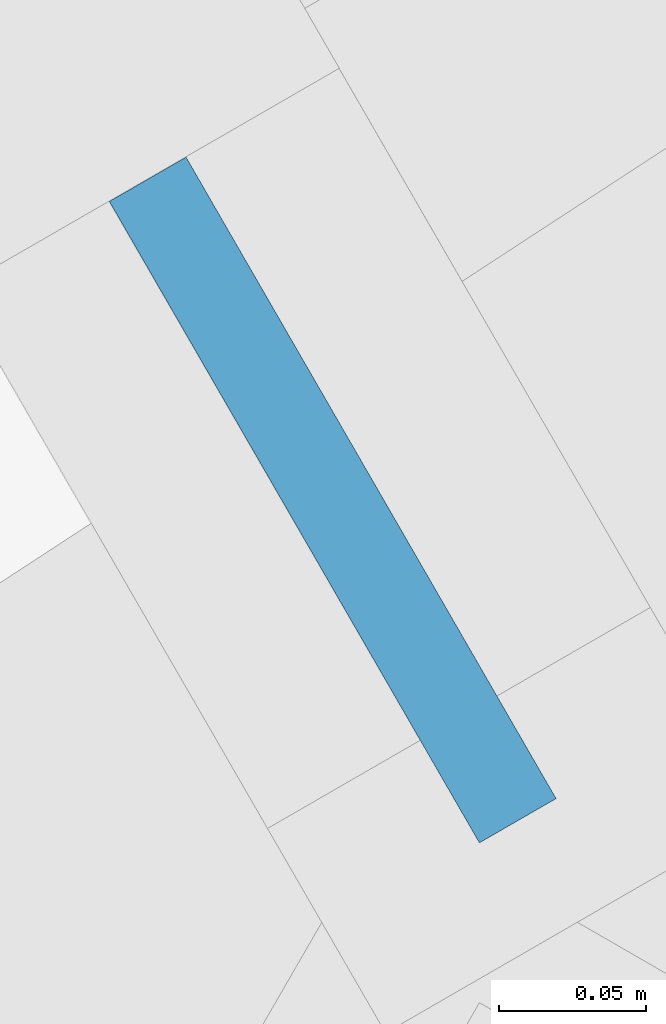
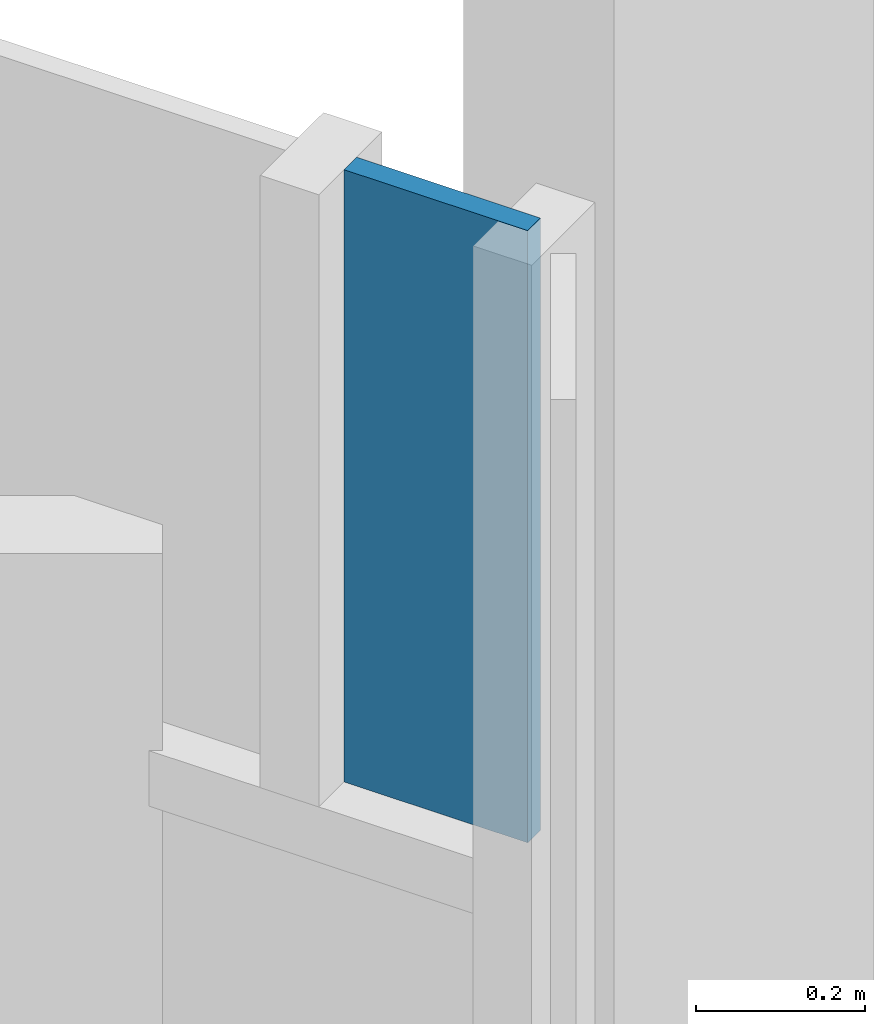
# One storey, part 19 of 25: 1 plate, 1 element without a shape of its own.
"""IFC4 building model written with IfcOpenShell, lengths in metres."""

from ifc_helpers import new_model, si_unit, direction, frame, origin, place, context, subcontext, project, spatial, polyline, outline, extrude, material, layer, layer_set, type_object, element, aggregate, save


model = new_model("IFC4")

# Units and contexts
model_context = context("Model", 3, precision=1e-05, world=origin(), true_north=direction((0.0, 1.0)))
body_context = subcontext(model_context, "Body", "Model", "MODEL_VIEW")
ifc_project = project(units=[si_unit("LENGTHUNIT", "METRE"), si_unit("AREAUNIT", "SQUARE_METRE"), si_unit("VOLUMEUNIT", "CUBIC_METRE"), si_unit("PLANEANGLEUNIT", "RADIAN"), si_unit("MASSUNIT", "GRAM", prefix="KILO")], contexts=[model_context])

# Site, building, storey
site_placement = place(None, origin())
site = spatial("IfcSite", under=ifc_project, at=site_placement, CompositionType="ELEMENT")
building_placement = place(site_placement, origin())
building = spatial("IfcBuilding", under=site, at=building_placement, Name="Firuza Gate Tower and Library", CompositionType="ELEMENT")
storey_placement = place(building_placement, frame((0.0, 0.0, 270.60009765625)))
storey = spatial("IfcBuildingStorey", under=building, at=storey_placement, Name="L64", CompositionType="ELEMENT", Elevation=270.60009765625)

# Curtain wall, plate
ifc_material_1 = material(Name="Aluminium 6063-T6", Category="aluminium")
ifc_layer_1 = layer(ifc_material_1, 0.14990234375)
ifc_layer_set_1 = layer_set([ifc_layer_1], Name="Unitised curtain wall, residences")
curtain_wall_type = type_object("IfcCurtainWallType", Name="Unitised curtain wall, residences", PredefinedType="NOTDEFINED", material=ifc_layer_set_1)
curtain_wall_placement = place(storey_placement, origin())
curtain_wall = element("IfcCurtainWall", 1, at=curtain_wall_placement, inside=storey, type_object=curtain_wall_type, Name="CW3 L64 E face", PredefinedType="NOTDEFINED")
ifc_material_2 = material(Name="Glazed ceramic tile")
ifc_layer_2 = layer(ifc_material_2, 0.030029296875)
ifc_layer_set_2 = layer_set([ifc_layer_2], Name="Opaque ceramic panel, residences")
plate_type = type_object("IfcPlateType", Name="Opaque ceramic panel, residences", PredefinedType="CURTAIN_PANEL", material=ifc_layer_set_2)
plate_placement = place(storey_placement, frame((101.658203125, 63.853759765625, 2.414794921875), z_axis=(0.866201770413, 0.499694399542, 0.0), x_axis=(-0.499694399542, 0.866201770413, 0.0)))
plate = element("IfcPlate", 2, at=plate_placement, type_object=plate_type, Name="Opaque ceramic panel", PredefinedType="CURTAIN_PANEL", context=body_context, shape_type="SweptSolid", body=[
    extrude(outline(polyline([(0.0, 0.0), (0.25113005341856437, 0.0), (0.25113005341856437, 0.885009765625), (0.0, 0.885009765625), (0.0, 0.0)])), origin(), (0.0, 0.0, -1.0), 0.030029296875),
])
aggregate(curtain_wall, [plate])

save(model, "model.ifc")
